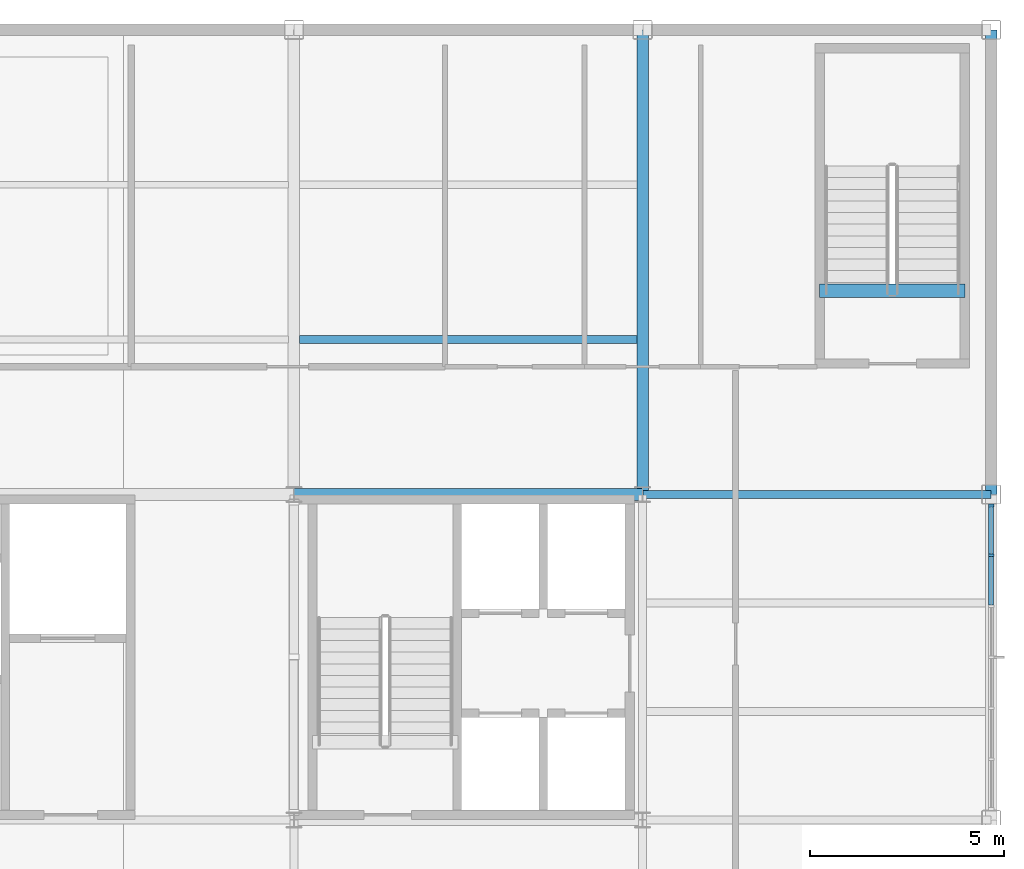
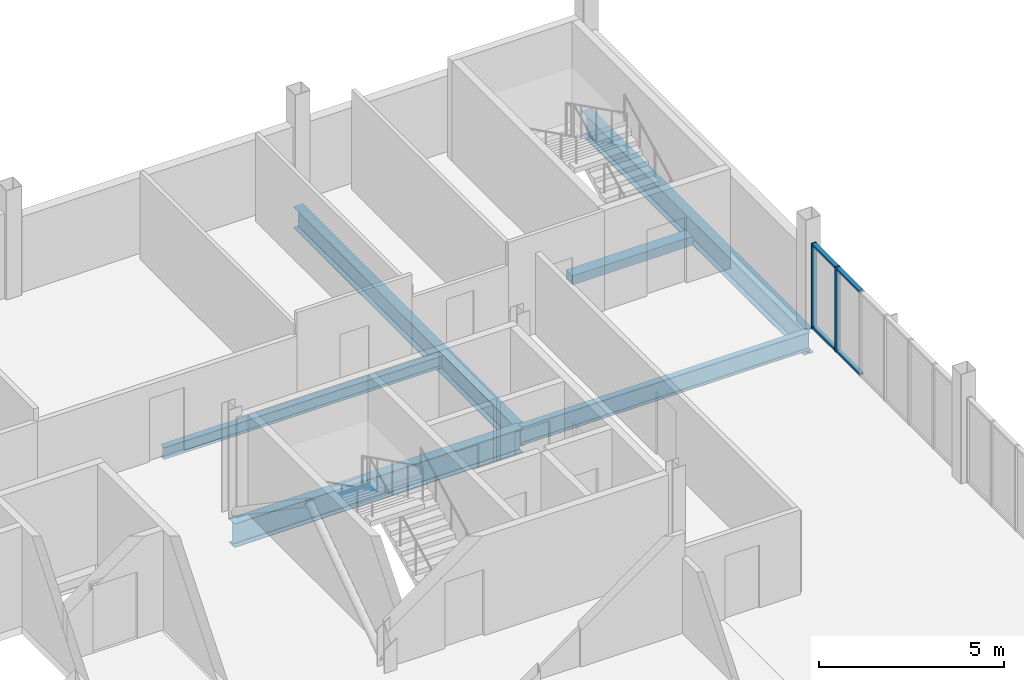
# One storey, part 9 of 19: 6 beams, 6 members, 1 element without a shape of its own.
"""IFC4 building model written with IfcOpenShell, lengths in metres."""

from ifc_helpers import new_model, si_unit, direction, frame, origin, origin_2d, place, context, subcontext, project, spatial, rectangle, i_section, extrude, material, layer, layer_set, material_profile, profile_set, type_object, element, aggregate, save


model = new_model("IFC4")

# Units and contexts
model_context = context("Model", 3, precision=1e-05, world=origin(), true_north=direction((0.0, 1.0)))
body_context = subcontext(model_context, "Body", "Model", "MODEL_VIEW")
ifc_project = project(units=[si_unit("LENGTHUNIT", "METRE"), si_unit("AREAUNIT", "SQUARE_METRE"), si_unit("VOLUMEUNIT", "CUBIC_METRE"), si_unit("PLANEANGLEUNIT", "RADIAN"), si_unit("MASSUNIT", "GRAM", prefix="KILO")], contexts=[model_context])

# Site, building, storey
site_placement = place(None, origin())
site = spatial("IfcSite", under=ifc_project, at=site_placement, CompositionType="ELEMENT")
building_placement = place(site_placement, origin())
building = spatial("IfcBuilding", under=site, at=building_placement, Name="Yukiwa Park Conservatory and Herbarium", CompositionType="ELEMENT")
storey_placement = place(building_placement, frame((0.0, 0.0, 31.800048828125)))
storey = spatial("IfcBuildingStorey", under=building, at=storey_placement, Name="L08", CompositionType="ELEMENT", Elevation=31.800048828125)

# Beams
ifc_material_1 = material(Name="Steel Q355D", Category="steel")
ifc_material_profile_1 = material_profile(ifc_material_1, i_section(OverallWidth=0.199951171875, OverallDepth=0.60009765625, WebThickness=0.010986328125, FlangeThickness=0.01708984375, FilletRadius=0.02197265625, at=origin_2d()), Name="HN 600x200x11x17")
ifc_profile_set_1 = profile_set([ifc_material_profile_1], Name="Steel Q355D")
beam_type_1 = type_object("IfcBeamType", Name="BM-GRD-HN600", PredefinedType="BEAM", material=ifc_profile_set_1)
beam_1_placement = place(storey_placement, frame((159.006103515625, 103.199951171875, -0.548095703125), z_axis=(1.0, 0.0, 0.0), x_axis=(0.0, 1.0, 0.0)))
element("IfcBeam", 1, at=beam_1_placement, inside=storey, type_object=beam_type_1, Name="L08 grid beam X-21", PredefinedType="BEAM", context=body_context, shape_type="SweptSolid", body=[
    extrude(i_section(OverallWidth=0.199951171875, OverallDepth=0.60009765625, WebThickness=0.010986328125, FlangeThickness=0.01708984375, FilletRadius=0.02197265625, at=origin_2d()), origin(), (0.0, 0.0, 1.0), 8.98779296875),
])
ifc_material_2 = material(Name="Steel Q355D", Category="steel")
ifc_material_profile_2 = material_profile(ifc_material_2, i_section(OverallWidth=0.300048828125, OverallDepth=0.699951171875, WebThickness=0.012939453125, FlangeThickness=0.02392578125, FilletRadius=0.028076171875, at=origin_2d()), Name="HN 700x300x13x24")
ifc_profile_set_2 = profile_set([ifc_material_profile_2], Name="Steel Q355D")
beam_type_2 = type_object("IfcBeamType", Name="BM-GRD-HN700", PredefinedType="BEAM", material=ifc_profile_set_2)
beam_2_placement = place(storey_placement, frame((159.0, 103.2060546875, -0.59814453125), z_axis=(0.0, 1.0, 0.0), x_axis=(-1.0, 0.0, 0.0)))
element("IfcBeam", 2, at=beam_2_placement, inside=storey, type_object=beam_type_2, Name="L08 grid girder Y-46", PredefinedType="BEAM", context=body_context, shape_type="SweptSolid", body=[
    extrude(i_section(OverallWidth=0.300048828125, OverallDepth=0.699951171875, WebThickness=0.012939453125, FlangeThickness=0.02392578125, FilletRadius=0.028076171875, at=origin_2d()), origin(), (0.0, 0.0, 1.0), 11.988037109375),
])
ifc_material_3 = material(Name="Steel Q355D", Category="steel")
ifc_material_profile_3 = material_profile(ifc_material_3, i_section(OverallWidth=0.198974609375, OverallDepth=0.39599609375, WebThickness=0.007080078125, FlangeThickness=0.010986328125, FilletRadius=0.01611328125, at=origin_2d()), Name="HN 396x199x7x11")
ifc_profile_set_3 = profile_set([ifc_material_profile_3], Name="Steel Q355D")
beam_type_3 = type_object("IfcBeamType", Name="BM-JST-HN396", PredefinedType="JOIST", material=ifc_profile_set_3)
beam_3_placement = place(storey_placement, frame((150.14599609375, 107.199951171875, -0.446044921875), z_axis=(1.0, 0.0, 0.0), x_axis=(0.0, 1.0, 0.0)))
element("IfcBeam", 3, at=beam_3_placement, inside=storey, type_object=beam_type_3, Name="L08 composite floor joist 21", PredefinedType="JOIST", context=body_context, shape_type="SweptSolid", body=[
    extrude(i_section(OverallWidth=0.198974609375, OverallDepth=0.39599609375, WebThickness=0.007080078125, FlangeThickness=0.010986328125, FilletRadius=0.01611328125, at=origin_2d()), origin(), (0.0, 0.0, 1.0), 8.7080078125),
])
ifc_material_4 = material(Name="Steel Q355D", Category="steel")
ifc_material_profile_4 = material_profile(ifc_material_4, i_section(OverallWidth=0.300048828125, OverallDepth=0.7919921875, WebThickness=0.013916015625, FlangeThickness=0.02197265625, FilletRadius=0.028076171875, at=origin_2d()), Name="HN 792x300x14x22")
ifc_profile_set_4 = profile_set([ifc_material_profile_4], Name="Steel Q355D")
beam_type_4 = type_object("IfcBeamType", Name="BM-SPN-HN600", PredefinedType="SPANDREL", material=ifc_profile_set_4)
beam_4_placement = place(storey_placement, frame((150.006103515625, 103.199951171875, -0.64404296875), z_axis=(1.0, 0.0, 0.0), x_axis=(0.0, 1.0, 0.0)))
element("IfcBeam", 4, at=beam_4_placement, inside=storey, type_object=beam_type_4, Name="L08 spandrel beam X-20", PredefinedType="SPANDREL", context=body_context, shape_type="SweptSolid", body=[
    extrude(i_section(OverallWidth=0.300048828125, OverallDepth=0.7919921875, WebThickness=0.013916015625, FlangeThickness=0.02197265625, FilletRadius=0.028076171875, at=origin_2d()), origin(), (0.0, 0.0, 1.0), 8.98779296875),
])
beam_5_placement = place(storey_placement, frame((168.0, 103.2060546875, -0.64404296875), z_axis=(0.0, 1.0, 0.0), x_axis=(-1.0, 0.0, 0.0)))
element("IfcBeam", 5, at=beam_5_placement, inside=storey, type_object=beam_type_4, Name="L08 spandrel girder Y-50", PredefinedType="SPANDREL", context=body_context, shape_type="SweptSolid", body=[
    extrude(i_section(OverallWidth=0.300048828125, OverallDepth=0.7919921875, WebThickness=0.013916015625, FlangeThickness=0.02197265625, FilletRadius=0.028076171875, at=origin_2d()), origin(), (0.0, 0.0, 1.0), 11.988037109375),
])
ifc_material_5 = material(Name="Concrete C40", Category="concrete")
ifc_material_profile_5 = material_profile(ifc_material_5, rectangle(XDim=0.35009765625, YDim=0.300048828125, at=origin_2d()), Name="RC 350x300")
ifc_profile_set_5 = profile_set([ifc_material_profile_5], Name="Concrete C40")
beam_type_5 = type_object("IfcBeamType", Name="BM-STAIR-TRIM", PredefinedType="BEAM", material=ifc_profile_set_5)
beam_6_placement = place(storey_placement, frame((163.570068359375, 108.4599609375, -0.150146484375), z_axis=(1.0, 0.0, 0.0), x_axis=(0.0, 1.0, 0.0)))
element("IfcBeam", 6, at=beam_6_placement, inside=storey, type_object=beam_type_5, Name="Stair ST-T3 L08 landing trimmer beam", PredefinedType="BEAM", context=body_context, shape_type="SweptSolid", body=[
    extrude(rectangle(XDim=0.35009765625, YDim=0.300048828125, at=origin_2d()), origin(), (0.0, 0.0, 1.0), 3.75),
])

# Curtain wall, members
ifc_material_6 = material(Name="Triple Low-E Insulated Glass", Category="glass")
ifc_layer = layer(ifc_material_6, 0.22412109375)
ifc_layer_set = layer_set([ifc_layer], Name="Triple Low-E Insulated Glass")
curtain_wall_type = type_object("IfcCurtainWallType", Name="CW-TOWER-CORNER-1400", PredefinedType="NOTDEFINED", material=ifc_layer_set)
curtain_wall_placement = place(storey_placement, origin())
curtain_wall = element("IfcCurtainWall", 7, at=curtain_wall_placement, inside=storey, type_object=curtain_wall_type, Name="L08 unitised curtain wall CW-L08-098", PredefinedType="NOTDEFINED")
ifc_material_7 = material(Name="Anodised Aluminium", Category="aluminium")
member_type_1 = type_object("IfcMemberType", Name="MB-CW-MUL-70X150", PredefinedType="MULLION", material=ifc_material_7)
member_1_placement = place(storey_placement, frame((168.0, 101.63330078125, 0.0), z_axis=(0.0, 0.0, 1.0), x_axis=(0.0, 1.0, 0.0)))
member_1 = element("IfcMember", 8, at=member_1_placement, type_object=member_type_1, Name="CW-L08-098 mullion 6", PredefinedType="MULLION", context=body_context, shape_type="SweptSolid", body=[
    extrude(rectangle(XDim=0.070068359375, YDim=0.14990234375, at=origin_2d()), origin(), (0.0, 0.0, 1.0), 2.794921875),
])
member_2_placement = place(storey_placement, frame((168.0, 102.9150390625, 0.0), z_axis=(0.0, 0.0, 1.0), x_axis=(0.0, 1.0, 0.0)))
member_2 = element("IfcMember", 9, at=member_2_placement, type_object=member_type_1, Name="CW-L08-098 mullion 7", PredefinedType="MULLION", context=body_context, shape_type="SweptSolid", body=[
    extrude(rectangle(XDim=0.070068359375, YDim=0.14990234375, at=origin_2d()), origin(), (0.0, 0.0, 1.0), 2.794921875),
])
ifc_material_8 = material(Name="Anodised Aluminium", Category="aluminium")
member_type_2 = type_object("IfcMemberType", Name="MB-CW-TRN-70X130", PredefinedType="USERDEFINED", material=ifc_material_8)
member_3_placement = place(storey_placement, frame((168.0, 100.97509765625, 0.0), z_axis=(0.0, 0.0, 1.0), x_axis=(0.0, 1.0, 0.0)))
member_3 = element("IfcMember", 10, at=member_3_placement, type_object=member_type_2, Name="CW-L08-098 transom 5.1", ObjectType="TRANSOM", PredefinedType="USERDEFINED", context=body_context, shape_type="SweptSolid", body=[
    extrude(rectangle(XDim=1.24658203125, YDim=0.1298828125, at=origin_2d()), origin(), (0.0, 0.0, 1.0), 0.070068359375),
])
member_4_placement = place(storey_placement, frame((168.0, 100.97509765625, 2.72509765625), z_axis=(0.0, 0.0, 1.0), x_axis=(0.0, 1.0, 0.0)))
member_4 = element("IfcMember", 11, at=member_4_placement, type_object=member_type_2, Name="CW-L08-098 transom 5.2", ObjectType="TRANSOM", PredefinedType="USERDEFINED", context=body_context, shape_type="SweptSolid", body=[
    extrude(rectangle(XDim=1.24658203125, YDim=0.1298828125, at=origin_2d()), origin(), (0.0, 0.0, 1.0), 0.070068359375),
])
member_5_placement = place(storey_placement, frame((168.0, 102.291748046875, 0.0), z_axis=(0.0, 0.0, 1.0), x_axis=(0.0, 1.0, 0.0)))
member_5 = element("IfcMember", 12, at=member_5_placement, type_object=member_type_2, Name="CW-L08-098 transom 6.1", ObjectType="TRANSOM", PredefinedType="USERDEFINED", context=body_context, shape_type="SweptSolid", body=[
    extrude(rectangle(XDim=1.24658203125, YDim=0.1298828125, at=origin_2d()), origin(), (0.0, 0.0, 1.0), 0.070068359375),
])
member_6_placement = place(storey_placement, frame((168.0, 102.291748046875, 2.72509765625), z_axis=(0.0, 0.0, 1.0), x_axis=(0.0, 1.0, 0.0)))
member_6 = element("IfcMember", 13, at=member_6_placement, type_object=member_type_2, Name="CW-L08-098 transom 6.2", ObjectType="TRANSOM", PredefinedType="USERDEFINED", context=body_context, shape_type="SweptSolid", body=[
    extrude(rectangle(XDim=1.24658203125, YDim=0.1298828125, at=origin_2d()), origin(), (0.0, 0.0, 1.0), 0.070068359375),
])
aggregate(curtain_wall, [member_1, member_2, member_3, member_4, member_5, member_6])

save(model, "model.ifc")
